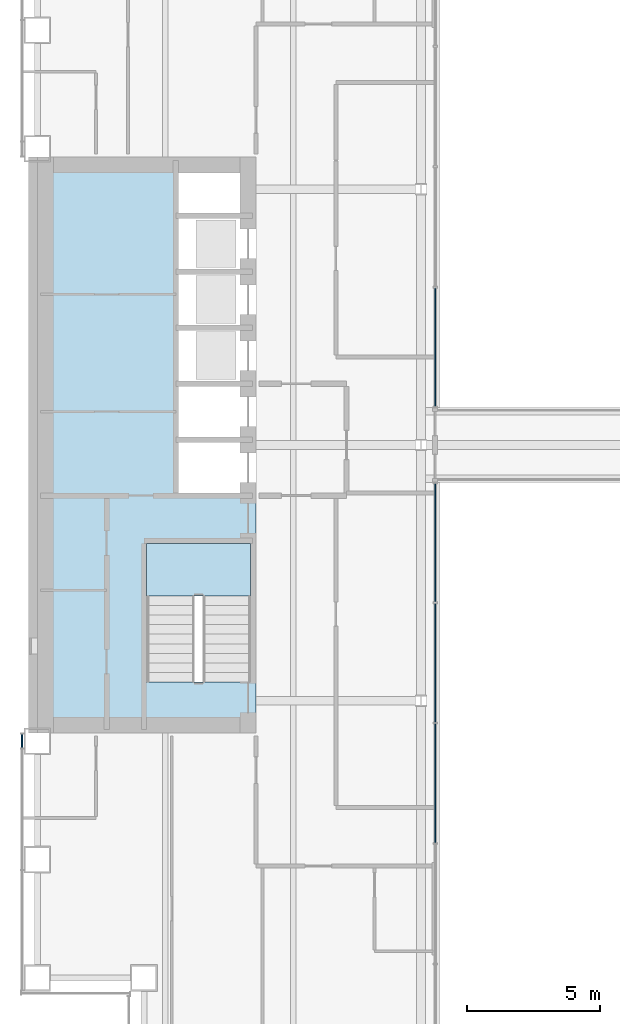
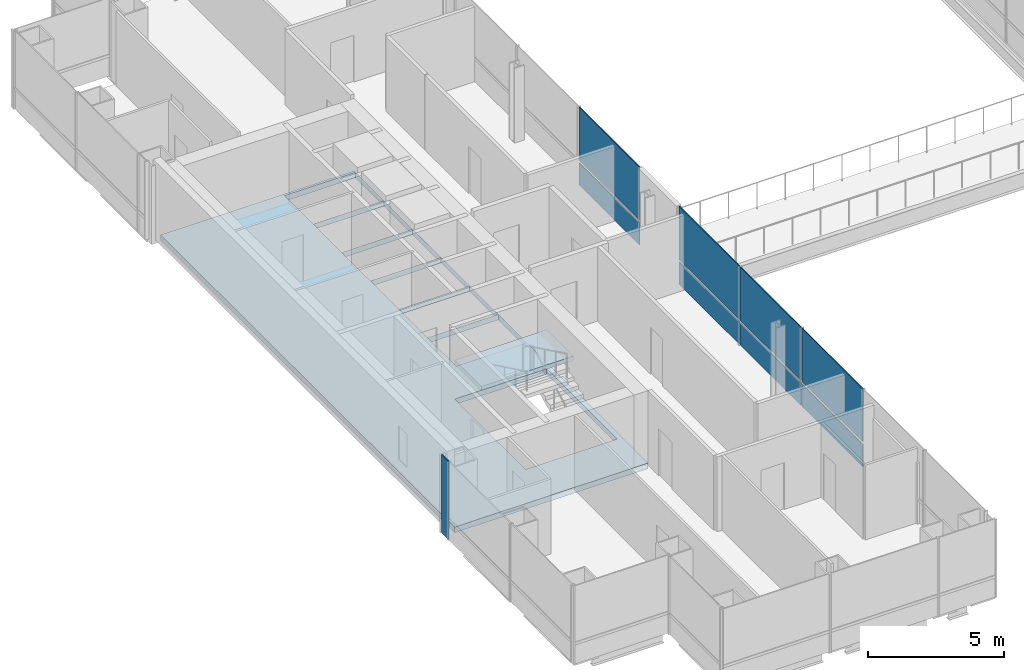
# One storey, part 9 of 19: 9 plates, 2 slabs, 4 elements without a shape of their own.
"""IFC4 building model written with IfcOpenShell, lengths in metres."""

from ifc_helpers import new_model, si_unit, direction, frame, origin, origin_2d, place, context, subcontext, project, spatial, polyline, rectangle, outline, extrude, material, layer, layer_set, type_object, element, aggregate, save


model = new_model("IFC4")

# Units and contexts
model_context = context("Model", 3, precision=1e-05, world=origin(), true_north=direction((0.0, 1.0)))
body_context = subcontext(model_context, "Body", "Model", "MODEL_VIEW")
ifc_project = project(units=[si_unit("LENGTHUNIT", "METRE"), si_unit("AREAUNIT", "SQUARE_METRE"), si_unit("VOLUMEUNIT", "CUBIC_METRE"), si_unit("PLANEANGLEUNIT", "RADIAN"), si_unit("MASSUNIT", "GRAM", prefix="KILO")], contexts=[model_context])

# Site, building, storey
site_placement = place(None, origin())
site = spatial("IfcSite", under=ifc_project, at=site_placement, CompositionType="ELEMENT")
building_placement = place(site_placement, origin())
building = spatial("IfcBuilding", under=site, at=building_placement, Name="Cobrizo Arcos Hotel Tower", CompositionType="ELEMENT")
storey_placement = place(building_placement, frame((0.0, 0.0, 63.5)))
storey = spatial("IfcBuildingStorey", under=building, at=storey_placement, Name="L14", CompositionType="ELEMENT", Elevation=63.5)

# Curtain wall, plate
ifc_material_1 = material(Name="Aluminium 6063-T6 anodised bronze", Category="aluminium")
curtain_wall_type_1 = type_object("IfcCurtainWallType", Name="CW-A guest facade", PredefinedType="NOTDEFINED", material=ifc_material_1)
curtain_wall_1_placement = place(storey_placement, origin())
curtain_wall_1 = element("IfcCurtainWall", 1, at=curtain_wall_1_placement, inside=storey, type_object=curtain_wall_type_1, Name="CW-A L14 W face", PredefinedType="NOTDEFINED")
ifc_material_2 = material(Name="Aluminium composite panel pale metal", Category="aluminium")
ifc_layer_1 = layer(ifc_material_2, 0.0400390625)
ifc_layer_set_1 = layer_set([ifc_layer_1], Name="CW-A spandrel panel")
plate_type_1 = type_object("IfcPlateType", Name="CW-A spandrel panel", PredefinedType="CURTAIN_PANEL", material=ifc_layer_set_1)
plate_1_placement = place(storey_placement, frame((-24.574951171875, -11.109375, 0.0), z_axis=(0.0, 0.0, 1.0), x_axis=(0.0, -1.0, 0.0)))
plate_1 = element("IfcPlate", 2, at=plate_1_placement, type_object=plate_type_1, Name="CW-A spandrel panel 648", PredefinedType="CURTAIN_PANEL", context=body_context, shape_type="SweptSolid", body=[
    extrude(rectangle(XDim=0.498779296875, YDim=0.0400390625, at=origin_2d()), origin(), (0.0, 0.0, 1.0), 3.5),
])
aggregate(curtain_wall_1, [plate_1])

# Curtain wall, plates
curtain_wall_type_2 = type_object("IfcCurtainWallType", Name="CW-F void screen", PredefinedType="NOTDEFINED", material=ifc_material_1)
curtain_wall_2_placement = place(storey_placement, origin())
curtain_wall_2 = element("IfcCurtainWall", 3, at=curtain_wall_2_placement, inside=storey, type_object=curtain_wall_type_2, Name="CW-F L14 void screen A", PredefinedType="NOTDEFINED")
ifc_material_3 = material(Name="Glass clear laminated low-e", Category="glass")
ifc_layer_2 = layer(ifc_material_3, 0.0400390625)
ifc_layer_set_2 = layer_set([ifc_layer_2], Name="CW-F glass panel")
plate_type_2 = type_object("IfcPlateType", Name="CW-F glass panel", PredefinedType="CURTAIN_PANEL", material=ifc_layer_set_2)
plate_2_placement = place(storey_placement, frame((-9.074951171875, 3.675048828125, 0.0), z_axis=(0.0, 0.0, 1.0), x_axis=(0.0, -1.0, 0.0)))
plate_2 = element("IfcPlate", 4, at=plate_2_placement, type_object=plate_type_2, Name="CW-F glass panel 2462", PredefinedType="CURTAIN_PANEL", context=body_context, shape_type="SweptSolid", body=[
    extrude(rectangle(XDim=4.429931640625, YDim=0.0400390625, at=origin_2d()), origin(), (0.0, 0.0, 1.0), 0.989990234375),
])
plate_3_placement = place(storey_placement, frame((-9.074951171875, 3.675048828125, 1.10986328125), z_axis=(0.0, 0.0, 1.0), x_axis=(0.0, -1.0, 0.0)))
plate_3 = element("IfcPlate", 5, at=plate_3_placement, type_object=plate_type_2, Name="CW-F glass panel 2462", PredefinedType="CURTAIN_PANEL", context=body_context, shape_type="SweptSolid", body=[
    extrude(rectangle(XDim=4.429931640625, YDim=0.0400390625, at=origin_2d()), origin(), (0.0, 0.0, 1.0), 2.389892578125),
])
aggregate(curtain_wall_2, [plate_2, plate_3])

curtain_wall_3_placement = place(storey_placement, origin())
curtain_wall_3 = element("IfcCurtainWall", 6, at=curtain_wall_3_placement, inside=storey, type_object=curtain_wall_type_2, Name="CW-F L14 void screen A", PredefinedType="NOTDEFINED")
plate_4_placement = place(storey_placement, frame((-9.074951171875, -3.675048828125, 0.0), z_axis=(0.0, 0.0, 1.0), x_axis=(0.0, -1.0, 0.0)))
plate_4 = element("IfcPlate", 7, at=plate_4_placement, type_object=plate_type_2, Name="CW-F glass panel 2463", PredefinedType="CURTAIN_PANEL", context=body_context, shape_type="SweptSolid", body=[
    extrude(rectangle(XDim=4.429931640625, YDim=0.0400390625, at=origin_2d()), origin(), (0.0, 0.0, 1.0), 0.989990234375),
])
plate_5_placement = place(storey_placement, frame((-9.074951171875, -3.675048828125, 1.10986328125), z_axis=(0.0, 0.0, 1.0), x_axis=(0.0, -1.0, 0.0)))
plate_5 = element("IfcPlate", 8, at=plate_5_placement, type_object=plate_type_2, Name="CW-F glass panel 2463", PredefinedType="CURTAIN_PANEL", context=body_context, shape_type="SweptSolid", body=[
    extrude(rectangle(XDim=4.429931640625, YDim=0.0400390625, at=origin_2d()), origin(), (0.0, 0.0, 1.0), 2.389892578125),
])
plate_6_placement = place(storey_placement, frame((-9.074951171875, -8.179931640625, 0.0), z_axis=(0.0, 0.0, 1.0), x_axis=(0.0, -1.0, 0.0)))
plate_6 = element("IfcPlate", 9, at=plate_6_placement, type_object=plate_type_2, Name="CW-F glass panel 2464", PredefinedType="CURTAIN_PANEL", context=body_context, shape_type="SweptSolid", body=[
    extrude(rectangle(XDim=4.4599609375, YDim=0.0400390625, at=origin_2d()), origin(), (0.0, 0.0, 1.0), 0.989990234375),
])
plate_7_placement = place(storey_placement, frame((-9.074951171875, -8.179931640625, 1.10986328125), z_axis=(0.0, 0.0, 1.0), x_axis=(0.0, -1.0, 0.0)))
plate_7 = element("IfcPlate", 10, at=plate_7_placement, type_object=plate_type_2, Name="CW-F glass panel 2464", PredefinedType="CURTAIN_PANEL", context=body_context, shape_type="SweptSolid", body=[
    extrude(rectangle(XDim=4.4599609375, YDim=0.0400390625, at=origin_2d()), origin(), (0.0, 0.0, 1.0), 2.389892578125),
])
plate_8_placement = place(storey_placement, frame((-9.074951171875, -12.699951171875, 0.0), z_axis=(0.0, 0.0, 1.0), x_axis=(0.0, -1.0, 0.0)))
plate_8 = element("IfcPlate", 11, at=plate_8_placement, type_object=plate_type_2, Name="CW-F glass panel 2465", PredefinedType="CURTAIN_PANEL", context=body_context, shape_type="SweptSolid", body=[
    extrude(rectangle(XDim=4.4599609375, YDim=0.0400390625, at=origin_2d()), origin(), (0.0, 0.0, 1.0), 0.989990234375),
])
plate_9_placement = place(storey_placement, frame((-9.074951171875, -12.699951171875, 1.10986328125), z_axis=(0.0, 0.0, 1.0), x_axis=(0.0, -1.0, 0.0)))
plate_9 = element("IfcPlate", 12, at=plate_9_placement, type_object=plate_type_2, Name="CW-F glass panel 2465", PredefinedType="CURTAIN_PANEL", context=body_context, shape_type="SweptSolid", body=[
    extrude(rectangle(XDim=4.4599609375, YDim=0.0400390625, at=origin_2d()), origin(), (0.0, 0.0, 1.0), 2.389892578125),
])
aggregate(curtain_wall_3, [plate_4, plate_5, plate_6, plate_7, plate_8, plate_9])

# Slab
ifc_material_4 = material(Name="Concrete f'c 60 MPa", Category="concrete")
ifc_layer_3 = layer(ifc_material_4, 0.25)
ifc_layer_set_3 = layer_set([ifc_layer_3], Name="RC core floor slab 250 f'c 60")
slab_type_1 = type_object("IfcSlabType", Name="RC core floor slab 250 f'c 60", PredefinedType="FLOOR", material=ifc_layer_set_3)
slab_1_placement = place(storey_placement, frame((0.0, 0.0, -0.25)))
element("IfcSlab", 13, at=slab_1_placement, inside=storey, type_object=slab_type_1, Name="Core floor slab CS3, west core, L14", PredefinedType="FLOOR", context=body_context, shape_type="SweptSolid", body=[
    extrude(outline(polyline([(-24.0, 10.800048828125), (-15.800048828125, 10.800048828125), (-15.800048828125, -10.800048828125), (-24.0, -10.800048828125), (-24.0, 10.800048828125)]), holes=[polyline([(-19.89794921875, -3.701904296875), (-19.89794921875, -8.89794921875), (-16.001953125, -8.89794921875), (-16.001953125, -3.701904296875), (-19.89794921875, -3.701904296875)]), polyline([(-18.798095703125, 0.197998046875), (-18.798095703125, -1.89794921875), (-15.802001953125, -1.89794921875), (-15.802001953125, 0.197998046875), (-18.798095703125, 0.197998046875)]), polyline([(-15.802001953125, 2.298095703125), (-18.798095703125, 2.298095703125), (-18.798095703125, 0.201904296875), (-15.802001953125, 0.201904296875), (-15.802001953125, 2.298095703125)]), polyline([(-15.802001953125, 4.39794921875), (-18.798095703125, 4.39794921875), (-18.798095703125, 2.302001953125), (-15.802001953125, 2.302001953125), (-15.802001953125, 4.39794921875)]), polyline([(-18.798095703125, 6.498046875), (-18.798095703125, 4.402099609375), (-15.802001953125, 4.402099609375), (-15.802001953125, 6.498046875), (-18.798095703125, 6.498046875)]), polyline([(-15.802001953125, 8.597900390625), (-18.798095703125, 8.597900390625), (-18.798095703125, 6.501953125), (-15.802001953125, 6.501953125), (-15.802001953125, 8.597900390625)]), polyline([(-15.802001953125, 10.697998046875), (-18.798095703125, 10.697998046875), (-18.798095703125, 8.60205078125), (-15.802001953125, 8.60205078125), (-15.802001953125, 10.697998046875)])]), origin(), (0.0, 0.0, 1.0), 0.25),
])

# Stair, slab
ifc_material_5 = material(Name="Concrete f'c 40 MPa", Category="concrete")
stair_type = type_object("IfcStairType", Name="Exit stair", PredefinedType="HALF_TURN_STAIR", material=ifc_material_5)
stair_placement = place(storey_placement, origin())
stair = element("IfcStair", 14, at=stair_placement, inside=storey, type_object=stair_type, Name="L14 Exit stair ST-W", PredefinedType="HALF_TURN_STAIR")
ifc_layer_4 = layer(ifc_material_5, 0.199951171875)
ifc_layer_set_4 = layer_set([ifc_layer_4], Name="Stair landing")
slab_type_2 = type_object("IfcSlabType", Name="Stair landing", PredefinedType="LANDING", material=ifc_layer_set_4)
slab_2_placement = place(storey_placement, frame((0.0, 0.0, 1.550048828125)))
slab_2 = element("IfcSlab", 15, at=slab_2_placement, type_object=slab_type_2, Name="ST-W landing 1", PredefinedType="LANDING", context=body_context, shape_type="SweptSolid", body=[
    extrude(outline(polyline([(-16.0, -5.659912109375), (-16.0, -3.699951171875), (-19.89990234375, -3.699951171875), (-19.89990234375, -5.659912109375), (-16.0, -5.659912109375)])), origin(), (0.0, 0.0, 1.0), 0.199951171875),
])
aggregate(stair, [slab_2])

save(model, "model.ifc")
